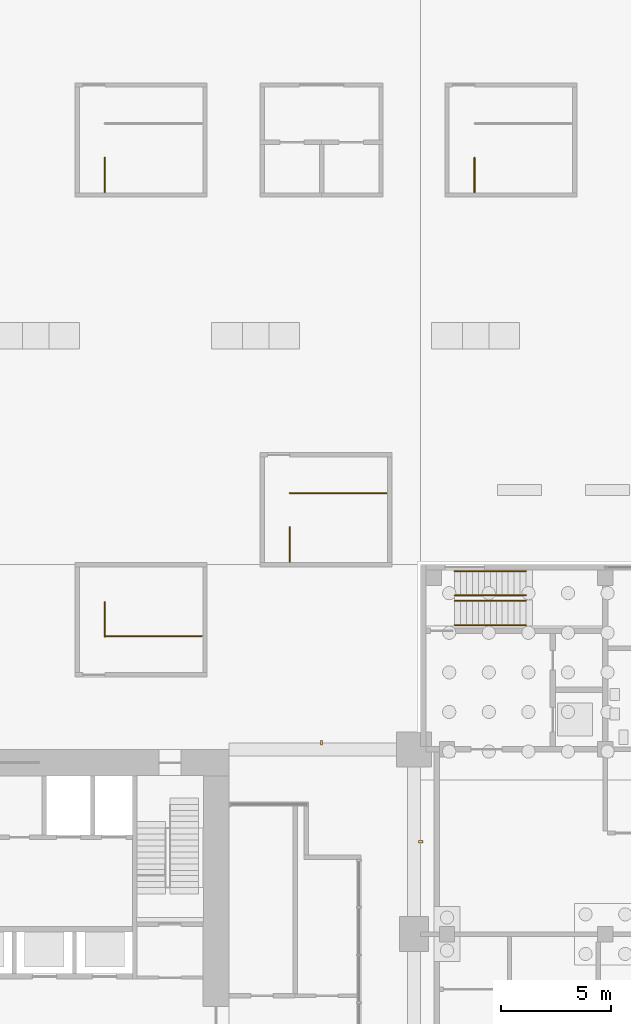
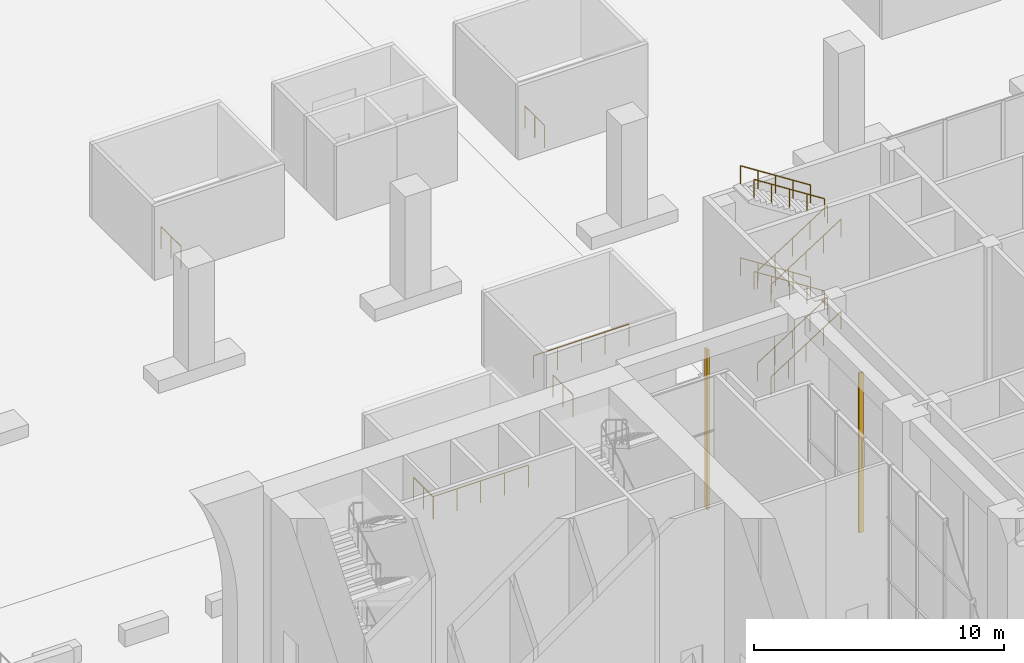
# One storey, part 39 of 46: 14 railings, 2 shading devices.
"""IFC4 building model written with IfcOpenShell, lengths in metres."""

import ifcopenshell
import ifcopenshell.guid

model = None  # the IFC model being written
_history = None  # IfcOwnerHistory: only IFC2X3 demands one
_inside = {}  # id of a spatial element -> (the spatial element, [elements in it])
_under = {}  # id of a project, library or spatial element -> (it, [spatial elements below it])
_declared = {}  # id of a project -> (the project, [libraries it declares])
_typed = {}  # id of a type object -> (the type object, [elements of that type])
_made_of = {}  # id of a material, layer set ... -> (it, [elements and type objects made of it])


def new_model(schema):
    """Start an empty IFC model of exactly this schema.

    Asked for "IFC4X3", IfcOpenShell would pick the latest addendum, in which some entities
    have other attributes; the version numbers below select the first issue.
    IFC2X3 requires an IfcOwnerHistory on every rooted entity: one is made here for all.
    """
    global model, _history
    if schema == "IFC4X3":
        model = ifcopenshell.file(schema_version=(4, 3, 0, 0))
    else:
        model = ifcopenshell.file(schema=schema)
    _inside.clear()
    _under.clear()
    _declared.clear()
    _typed.clear()
    _made_of.clear()
    _history = None
    if model.schema == "IFC2X3":
        org = make("IfcOrganization", Name="unknown")
        user = make(
            "IfcPersonAndOrganization",
            ThePerson=make("IfcPerson", FamilyName="unknown"),
            TheOrganization=org,
        )
        app = make(
            "IfcApplication",
            ApplicationDeveloper=org,
            Version="unknown",
            ApplicationFullName="unknown",
            ApplicationIdentifier="unknown",
        )
        _history = make(
            "IfcOwnerHistory",
            OwningUser=user,
            OwningApplication=app,
            ChangeAction="ADDED",
            CreationDate=0,
        )
    return model


def make(cls, **values):
    """One entity of the class cls with the attributes given. An attribute that is None is left unset."""
    return model.create_entity(
        cls, **{name: value for name, value in values.items() if value is not None}
    )


def rooted(cls, **values):
    """An entity with a GlobalId (a new one), such as an element, a storey or a relation."""
    return make(cls, GlobalId=ifcopenshell.guid.new(), OwnerHistory=_history, **values)


def si_unit(unit_type, name, prefix=None):
    """IfcSIUnit, for example si_unit("LENGTHUNIT", "METRE", prefix="MILLI")."""
    return make("IfcSIUnit", UnitType=unit_type, Prefix=prefix, Name=name)


def assignment(units):
    """IfcUnitAssignment: the units of a project."""
    return None if units is None else make("IfcUnitAssignment", Units=units)


def point(xyz):
    """IfcCartesianPoint."""
    return None if xyz is None else make("IfcCartesianPoint", Coordinates=xyz)


def direction(xyz):
    """IfcDirection."""
    return None if xyz is None else make("IfcDirection", DirectionRatios=xyz)


def frame(location, z_axis=None, x_axis=None):
    """IfcAxis2Placement3D, a coordinate frame: its origin and axes. An axis left out is left unset."""
    return make(
        "IfcAxis2Placement3D",
        Location=point(location),
        Axis=direction(z_axis),
        RefDirection=direction(x_axis),
    )


def frame_2d(location, x_axis=None):
    """IfcAxis2Placement2D, a coordinate frame in the plane: its origin and x axis."""
    return make(
        "IfcAxis2Placement2D", Location=point(location), RefDirection=direction(x_axis)
    )


def origin():
    """The frame at (0, 0, 0) with its axes left unset."""
    return frame((0.0, 0.0, 0.0))


def origin_2d():
    """The frame at (0, 0) in the plane with its x axis left unset."""
    return frame_2d((0.0, 0.0))


def place(relative_to, where):
    """IfcLocalPlacement: puts the frame where relative to a parent placement (None: the world)."""
    return make(
        "IfcLocalPlacement", PlacementRelTo=relative_to, RelativePlacement=where
    )


def context(
    kind, dimensions, precision=None, world=None, true_north=None, identifier=None
):
    """IfcGeometricRepresentationContext, for example the 3D "Model" context."""
    return make(
        "IfcGeometricRepresentationContext",
        ContextIdentifier=identifier,
        ContextType=kind,
        CoordinateSpaceDimension=dimensions,
        Precision=precision,
        WorldCoordinateSystem=world,
        TrueNorth=true_north,
    )


def subcontext(parent, identifier, kind, view, scale=None):
    """IfcGeometricRepresentationSubContext, for example "Body" below "Model"."""
    return make(
        "IfcGeometricRepresentationSubContext",
        ContextIdentifier=identifier,
        ContextType=kind,
        ParentContext=parent,
        TargetScale=scale,
        TargetView=view,
    )


def project(units=None, contexts=None):
    """IfcProject with its units and contexts."""
    return rooted(
        "IfcProject",
        Name="project",
        RepresentationContexts=contexts,
        UnitsInContext=assignment(units),
    )


def spatial(cls, under=None, at=None, **own):
    """A site, building, storey or space (cls), placed at a placement, below another one or the project."""
    s = rooted(cls, ObjectPlacement=at, **own)
    if under is not None:
        _under.setdefault(under.id(), (under, []))[1].append(s)
    return s


def profile(cls, at=None, kind="AREA", **sizes):
    """A parametric profile (cls). Its sizes go by their IFC names, for example OverallWidth=200.0."""
    return make(cls, ProfileType=kind, Position=at, **sizes)


def rectangle(**sizes):
    """IfcRectangleProfileDef."""
    return profile("IfcRectangleProfileDef", **sizes)


def circle(**sizes):
    """IfcCircleProfileDef."""
    return profile("IfcCircleProfileDef", **sizes)


def extrude(swept, where, along, depth):
    """IfcExtrudedAreaSolid: the profile swept, set in the frame where, extruded along a direction by depth."""
    return make(
        "IfcExtrudedAreaSolid",
        SweptArea=swept,
        Position=where,
        ExtrudedDirection=direction(along),
        Depth=depth,
    )


def shape(context_of_items, identifier, shape_type, items):
    """IfcShapeRepresentation: the items that make up one representation, for example the "Body"."""
    return make(
        "IfcShapeRepresentation",
        ContextOfItems=context_of_items,
        RepresentationIdentifier=identifier,
        RepresentationType=shape_type,
        Items=items,
    )


def material(Name=None, Category=None):
    """IfcMaterial."""
    return make("IfcMaterial", Name=Name, Category=Category)


def material_profile(
    of_material, cross_section, Name=None, Category=None, Priority=None
):
    """IfcMaterialProfile: a cross section and its material."""
    return make(
        "IfcMaterialProfile",
        Name=Name,
        Material=of_material,
        Profile=cross_section,
        Priority=Priority,
        Category=Category,
    )


def profile_set(profiles, Name=None, composite=None):
    """IfcMaterialProfileSet."""
    return make(
        "IfcMaterialProfileSet",
        Name=Name,
        MaterialProfiles=profiles,
        CompositeProfile=composite,
    )


def made_of(thing, what):
    """Note that an element or type object is made of a material, layer set ...; save() writes the relation."""
    if what is not None:
        _made_of.setdefault(what.id(), (what, []))[1].append(thing)
    return thing


def type_object(cls, material=None, **own):
    """A type object (cls), such as IfcWallType, which elements share."""
    return made_of(rooted(cls, **own), material)


def element(
    cls,
    number,
    at=None,
    inside=None,
    cuts=None,
    type_object=None,
    material=None,
    context=None,
    identifier="Body",
    shape_type=None,
    held_by="IfcProductDefinitionShape",
    body=None,
    shapes=None,
    **own,
):
    """One element of the class cls, such as IfcWall. Its Tag is "e" and its number.

    at: its placement. inside: the storey or other place that contains it. cuts: it is an
    opening in that element (IfcRelVoidsElement). A single representation is given by context,
    identifier, shape_type and body (its items); several are given by shapes. held_by: the class
    of the entity that holds the representations. save() writes the other relations.
    """
    e = rooted(cls, Tag="e%d" % number, ObjectPlacement=at, **own)
    if body is not None:
        shapes = [shape(context, identifier, shape_type, body)]
    if shapes is not None:
        e.Representation = make(held_by, Representations=shapes)
    if inside is not None:
        _inside.setdefault(inside.id(), (inside, []))[1].append(e)
    if cuts is not None:
        rooted(
            "IfcRelVoidsElement", RelatingBuildingElement=cuts, RelatedOpeningElement=e
        )
    if type_object is not None:
        _typed.setdefault(type_object.id(), (type_object, []))[1].append(e)
    return made_of(e, material)


def aggregate(whole, parts):
    """IfcRelAggregates: a whole, such as a stair, and the parts it consists of."""
    return rooted("IfcRelAggregates", RelatingObject=whole, RelatedObjects=parts)


def save(model, path):
    """Write the relations noted so far, then the file.

    IfcRelAggregates (storeys below a building ...), IfcRelContainedInSpatialStructure (elements
    in a storey), IfcRelDefinesByType, IfcRelAssociatesMaterial and IfcRelDeclares: one each for
    every whole, place, type object, material and project.
    """
    for whole, parts in _under.values():
        aggregate(whole, parts)
    for where, things in _inside.values():
        rooted(
            "IfcRelContainedInSpatialStructure",
            RelatedElements=things,
            RelatingStructure=where,
        )
    for kind, things in _typed.values():
        rooted("IfcRelDefinesByType", RelatedObjects=things, RelatingType=kind)
    for what, things in _made_of.values():
        rooted("IfcRelAssociatesMaterial", RelatedObjects=things, RelatingMaterial=what)
    for by, libraries in _declared.values():
        rooted("IfcRelDeclares", RelatingContext=by, RelatedDefinitions=libraries)
    model.write(path)


model = new_model("IFC4")

# Units and contexts
model_context = context("Model", 3, precision=1e-05, world=origin(), true_north=direction((0.0, 1.0)))
body_context = subcontext(model_context, "Body", "Model", "MODEL_VIEW")
ifc_project = project(units=[si_unit("LENGTHUNIT", "METRE"), si_unit("AREAUNIT", "SQUARE_METRE"), si_unit("VOLUMEUNIT", "CUBIC_METRE"), si_unit("PLANEANGLEUNIT", "RADIAN"), si_unit("MASSUNIT", "GRAM", prefix="KILO")], contexts=[model_context])

# Site, building, storey
site_placement = place(None, origin())
site = spatial("IfcSite", under=ifc_project, at=site_placement, CompositionType="ELEMENT")
building_placement = place(site_placement, origin())
building = spatial("IfcBuilding", under=site, at=building_placement, Name="Vermilion Gate Residences", CompositionType="ELEMENT")
storey_placement = place(building_placement, origin())
storey = spatial("IfcBuildingStorey", under=building, at=storey_placement, Name="L00", CompositionType="ELEMENT", Elevation=0.0)

# Railings
ifc_material_1 = material(Name="Steel", Category="steel")
railing_type_1 = type_object("IfcRailingType", Name="STAIR WELL GUARD 1100 (AMENITY)", PredefinedType="GUARDRAIL", material=ifc_material_1)
railing_1_placement = place(storey_placement, frame((69.949951171875, 50.52001953125, 0.0)))
element("IfcRailing", 1, at=railing_1_placement, inside=storey, type_object=railing_type_1, Name="Stair well guard 3", PredefinedType="GUARDRAIL", context=body_context, shape_type="SweptSolid", body=[
    extrude(circle(Radius=0.02392578125, at=origin_2d()), frame((0.0, 0.0, 1.076171875), z_axis=(0.0, 1.0, 0.0), x_axis=(-1.0, 0.0, 0.0)), (0.0, 0.0, 1.0), 1.580078125),
    extrude(circle(Radius=0.02099609375, at=origin_2d()), origin(), (0.0, 0.0, 1.0), 1.052001953125),
    extrude(circle(Radius=0.02099609375, at=origin_2d()), frame((0.0, 0.7900390625, 0.0)), (0.0, 0.0, 1.0), 1.052001953125),
    extrude(circle(Radius=0.02099609375, at=origin_2d()), frame((0.0, 1.580078125, 0.0)), (0.0, 0.0, 1.0), 1.052001953125),
])
railing_2_placement = place(storey_placement, frame((53.14990234375, 30.320068359375, 0.0)))
element("IfcRailing", 2, at=railing_2_placement, inside=storey, type_object=railing_type_1, Name="Stair well guard 4", PredefinedType="GUARDRAIL", context=body_context, shape_type="SweptSolid", body=[
    extrude(circle(Radius=0.02392578125, at=origin_2d()), frame((0.0, 0.0, 1.076171875), z_axis=(0.0, 1.0, 0.0), x_axis=(-1.0, 0.0, 0.0)), (0.0, 0.0, 1.0), 1.579833984375),
    extrude(circle(Radius=0.02099609375, at=origin_2d()), origin(), (0.0, 0.0, 1.0), 1.052001953125),
    extrude(circle(Radius=0.02099609375, at=origin_2d()), frame((0.0, 0.7900390625, 0.0)), (0.0, 0.0, 1.0), 1.052001953125),
    extrude(circle(Radius=0.02099609375, at=origin_2d()), frame((0.0, 1.579833984375, 0.0)), (0.0, 0.0, 1.0), 1.052001953125),
])
railing_3_placement = place(storey_placement, frame((53.14990234375, 30.35009765625, 0.0)))
element("IfcRailing", 3, at=railing_3_placement, inside=storey, type_object=railing_type_1, Name="Stair well guard 4 side", PredefinedType="GUARDRAIL", context=body_context, shape_type="SweptSolid", body=[
    extrude(circle(Radius=0.02392578125, at=origin_2d()), frame((0.0, 0.0, 1.076171875), z_axis=(1.0, 0.0, 0.0), x_axis=(0.0, 1.0, 0.0)), (0.0, 0.0, 1.0), 4.400146484375),
    extrude(circle(Radius=0.02099609375, at=origin_2d()), origin(), (0.0, 0.0, 1.0), 1.052001953125),
    extrude(circle(Radius=0.02099609375, at=origin_2d()), frame((1.10009765625, 0.0, 0.0)), (0.0, 0.0, 1.0), 1.052001953125),
    extrude(circle(Radius=0.02099609375, at=origin_2d()), frame((2.2001953125, 0.0, 0.0)), (0.0, 0.0, 1.0), 1.052001953125),
    extrude(circle(Radius=0.02099609375, at=origin_2d()), frame((3.300048828125, 0.0, 0.0)), (0.0, 0.0, 1.0), 1.052001953125),
    extrude(circle(Radius=0.02099609375, at=origin_2d()), frame((4.400146484375, 0.0, 0.0)), (0.0, 0.0, 1.0), 1.052001953125),
])
for number, where, name in (
    (4, (53.14990234375, 50.52001953125, 0.0), "Stair well guard 15"),
    (5, (61.550048828125, 33.719970703125, 0.0), "Stair well guard 16"),
):
    element("IfcRailing", number, at=place(storey_placement, frame(where)), inside=storey, type_object=railing_type_1, Name=name, PredefinedType="GUARDRAIL", context=body_context, shape_type="SweptSolid", body=[
        extrude(circle(Radius=0.02392578125, at=origin_2d()), frame((0.0, 0.0, 1.076171875), z_axis=(0.0, 1.0, 0.0), x_axis=(-1.0, 0.0, 0.0)), (0.0, 0.0, 1.0), 1.580078125),
        extrude(circle(Radius=0.02099609375, at=origin_2d()), origin(), (0.0, 0.0, 1.0), 1.052001953125),
        extrude(circle(Radius=0.02099609375, at=origin_2d()), frame((0.0, 0.7900390625, 0.0)), (0.0, 0.0, 1.0), 1.052001953125),
        extrude(circle(Radius=0.02099609375, at=origin_2d()), frame((0.0, 1.580078125, 0.0)), (0.0, 0.0, 1.0), 1.052001953125),
    ])
railing_4_placement = place(storey_placement, frame((61.550048828125, 36.85009765625, 0.0)))
element("IfcRailing", 6, at=railing_4_placement, inside=storey, type_object=railing_type_1, Name="Stair well guard 16 side", PredefinedType="GUARDRAIL", context=body_context, shape_type="SweptSolid", body=[
    extrude(circle(Radius=0.02392578125, at=origin_2d()), frame((0.0, 0.0, 1.076171875), z_axis=(1.0, 0.0, 0.0), x_axis=(0.0, 1.0, 0.0)), (0.0, 0.0, 1.0), 4.39990234375),
    extrude(circle(Radius=0.02099609375, at=origin_2d()), origin(), (0.0, 0.0, 1.0), 1.052001953125),
    extrude(circle(Radius=0.02099609375, at=origin_2d()), frame((1.10009765625, 0.0, 0.0)), (0.0, 0.0, 1.0), 1.052001953125),
    extrude(circle(Radius=0.02099609375, at=origin_2d()), frame((2.199951171875, 0.0, 0.0)), (0.0, 0.0, 1.0), 1.052001953125),
    extrude(circle(Radius=0.02099609375, at=origin_2d()), frame((3.2998046875, 0.0, 0.0)), (0.0, 0.0, 1.0), 1.052001953125),
    extrude(circle(Radius=0.02099609375, at=origin_2d()), frame((4.39990234375, 0.0, 0.0)), (0.0, 0.0, 1.0), 1.052001953125),
])
ifc_material_2 = material(Name="Steel", Category="steel")
railing_type_2 = type_object("IfcRailingType", Name="STEEL HANDRAIL 900 (MARKET HALL)", PredefinedType="HANDRAIL", material=ifc_material_2)
for number, where, name in (
    (7, (69.050048828125, 30.85009765625, 0.173095703125), "Stair handrail STH1-00-1a"),
    (8, (69.050048828125, 31.949951171875, 0.173095703125), "Stair handrail STH1-00-1b"),
):
    element("IfcRailing", number, at=place(storey_placement, frame(where)), inside=storey, type_object=railing_type_2, Name=name, PredefinedType="HANDRAIL", context=body_context, shape_type="SweptSolid", body=[
        extrude(circle(Radius=0.0224609375, at=origin_2d()), frame((0.0, 0.0, 0.87744140625), z_axis=(0.841880617004, 0.0, 0.539663808971), x_axis=(0.0, 1.0, 0.0)), (0.0, 0.0, 1.0), 3.8486328125),
        extrude(circle(Radius=0.02001953125, at=origin_2d()), origin(), (0.0, 0.0, 1.0), 0.85498046875),
        extrude(circle(Radius=0.02001953125, at=origin_2d()), frame((0.81005859375, 0.0, 0.519287109375)), (0.0, 0.0, 1.0), 0.85498046875),
        extrude(circle(Radius=0.02001953125, at=origin_2d()), frame((1.6201171875, 0.0, 1.03857421875)), (0.0, 0.0, 1.0), 0.85498046875),
        extrude(circle(Radius=0.02001953125, at=origin_2d()), frame((2.429931640625, 0.0, 1.5576171875)), (0.0, 0.0, 1.0), 0.85498046875),
        extrude(circle(Radius=0.02001953125, at=origin_2d()), frame((3.239990234375, 0.0, 2.076904296875)), (0.0, 0.0, 1.0), 0.85498046875),
    ])
for number, where, name in (
    (9, (72.2900390625, 32.199951171875, 2.423095703125), "Stair handrail STH1-00-2a"),
    (10, (72.2900390625, 33.300048828125, 2.423095703125), "Stair handrail STH1-00-2b"),
):
    element("IfcRailing", number, at=place(storey_placement, frame(where)), inside=storey, type_object=railing_type_2, Name=name, PredefinedType="HANDRAIL", context=body_context, shape_type="SweptSolid", body=[
        extrude(circle(Radius=0.0224609375, at=origin_2d()), frame((0.0, 0.0, 0.87744140625), z_axis=(-0.841880617004, 0.0, 0.539663808971), x_axis=(0.0, -1.0, 0.0)), (0.0, 0.0, 1.0), 3.8486328125),
        extrude(circle(Radius=0.02001953125, at=origin_2d()), origin(), (0.0, 0.0, 1.0), 0.85498046875),
        extrude(circle(Radius=0.02001953125, at=origin_2d()), frame((-0.81005859375, 0.0, 0.519287109375)), (0.0, 0.0, 1.0), 0.85498046875),
        extrude(circle(Radius=0.02001953125, at=origin_2d()), frame((-1.6201171875, 0.0, 1.03857421875)), (0.0, 0.0, 1.0), 0.85498046875),
        extrude(circle(Radius=0.02001953125, at=origin_2d()), frame((-2.429931640625, 0.0, 1.5576171875)), (0.0, 0.0, 1.0), 0.85498046875),
        extrude(circle(Radius=0.02001953125, at=origin_2d()), frame((-3.239990234375, 0.0, 2.076904296875)), (0.0, 0.0, 1.0), 0.85498046875),
    ])
for number, where, name in (
    (11, (69.050048828125, 30.85009765625, 4.673095703125), "Stair handrail STH1-00-3a"),
    (12, (69.050048828125, 31.949951171875, 4.673095703125), "Stair handrail STH1-00-3b"),
):
    element("IfcRailing", number, at=place(storey_placement, frame(where)), inside=storey, type_object=railing_type_2, Name=name, PredefinedType="HANDRAIL", context=body_context, shape_type="SweptSolid", body=[
        extrude(circle(Radius=0.0224609375, at=origin_2d()), frame((0.0, 0.0, 0.87744140625), z_axis=(0.841880617004, 0.0, 0.539663808971), x_axis=(0.0, 1.0, 0.0)), (0.0, 0.0, 1.0), 3.8486328125),
        extrude(circle(Radius=0.02001953125, at=origin_2d()), origin(), (0.0, 0.0, 1.0), 0.85498046875),
        extrude(circle(Radius=0.02001953125, at=origin_2d()), frame((0.81005859375, 0.0, 0.519287109375)), (0.0, 0.0, 1.0), 0.85498046875),
        extrude(circle(Radius=0.02001953125, at=origin_2d()), frame((1.6201171875, 0.0, 1.03857421875)), (0.0, 0.0, 1.0), 0.85498046875),
        extrude(circle(Radius=0.02001953125, at=origin_2d()), frame((2.429931640625, 0.0, 1.5576171875)), (0.0, 0.0, 1.0), 0.85498046875),
        extrude(circle(Radius=0.02001953125, at=origin_2d()), frame((3.239990234375, 0.0, 2.076904296875)), (0.0, 0.0, 1.0), 0.85498046875),
    ])
for number, where, name in (
    (13, (72.2900390625, 32.199951171875, 6.923095703125), "Stair handrail STH1-00-4a"),
    (14, (72.2900390625, 33.300048828125, 6.923095703125), "Stair handrail STH1-00-4b"),
):
    element("IfcRailing", number, at=place(storey_placement, frame(where)), inside=storey, type_object=railing_type_2, Name=name, PredefinedType="HANDRAIL", context=body_context, shape_type="SweptSolid", body=[
        extrude(circle(Radius=0.0224609375, at=origin_2d()), frame((0.0, 0.0, 0.87744140625), z_axis=(-0.841880617004, 0.0, 0.539663808971), x_axis=(0.0, -1.0, 0.0)), (0.0, 0.0, 1.0), 3.8486328125),
        extrude(circle(Radius=0.02001953125, at=origin_2d()), origin(), (0.0, 0.0, 1.0), 0.85498046875),
        extrude(circle(Radius=0.02001953125, at=origin_2d()), frame((-0.81005859375, 0.0, 0.519287109375)), (0.0, 0.0, 1.0), 0.85498046875),
        extrude(circle(Radius=0.02001953125, at=origin_2d()), frame((-1.6201171875, 0.0, 1.03857421875)), (0.0, 0.0, 1.0), 0.85498046875),
        extrude(circle(Radius=0.02001953125, at=origin_2d()), frame((-2.429931640625, 0.0, 1.5576171875)), (0.0, 0.0, 1.0), 0.85498046875),
        extrude(circle(Radius=0.02001953125, at=origin_2d()), frame((-3.239990234375, 0.0, 2.076904296875)), (0.0, 0.0, 1.0), 0.85498046875),
    ])

# Shading devices
ifc_material_3 = material(Name="Extruded terracotta", Category="masonry")
ifc_material_profile = material_profile(ifc_material_3, rectangle(XDim=0.199951171875, YDim=0.10009765625, at=origin_2d()), Name="BAGUETTE 100 X 200")
ifc_profile_set = profile_set([ifc_material_profile], Name="Extruded terracotta")
shading_device_type = type_object("IfcShadingDeviceType", Name="TERRACOTTA BAGUETTE 100 X 200", PredefinedType="JALOUSIE", material=ifc_profile_set)
for number, where, z_axis, x_axis, name in (
    (15, (67.5, 21.0, 0.0), (0.0, 0.0, 1.0), (-1.0, 0.0, 0.0), "BAGUETTE"),
    (16, (63.0, 25.5, 0.0), (0.0, 0.0, 1.0), (0.0, -1.0, 0.0), "BAGUETTE"),
):
    element("IfcShadingDevice", number, at=place(storey_placement, frame(where, z_axis=z_axis, x_axis=x_axis)), inside=storey, type_object=shading_device_type, Name=name, PredefinedType="JALOUSIE", context=body_context, shape_type="SweptSolid", body=[
        extrude(rectangle(XDim=0.199951171875, YDim=0.10009765625, at=origin_2d()), origin(), (0.0, 0.0, 1.0), 7.800048828125),
    ])

save(model, "model.ifc")
